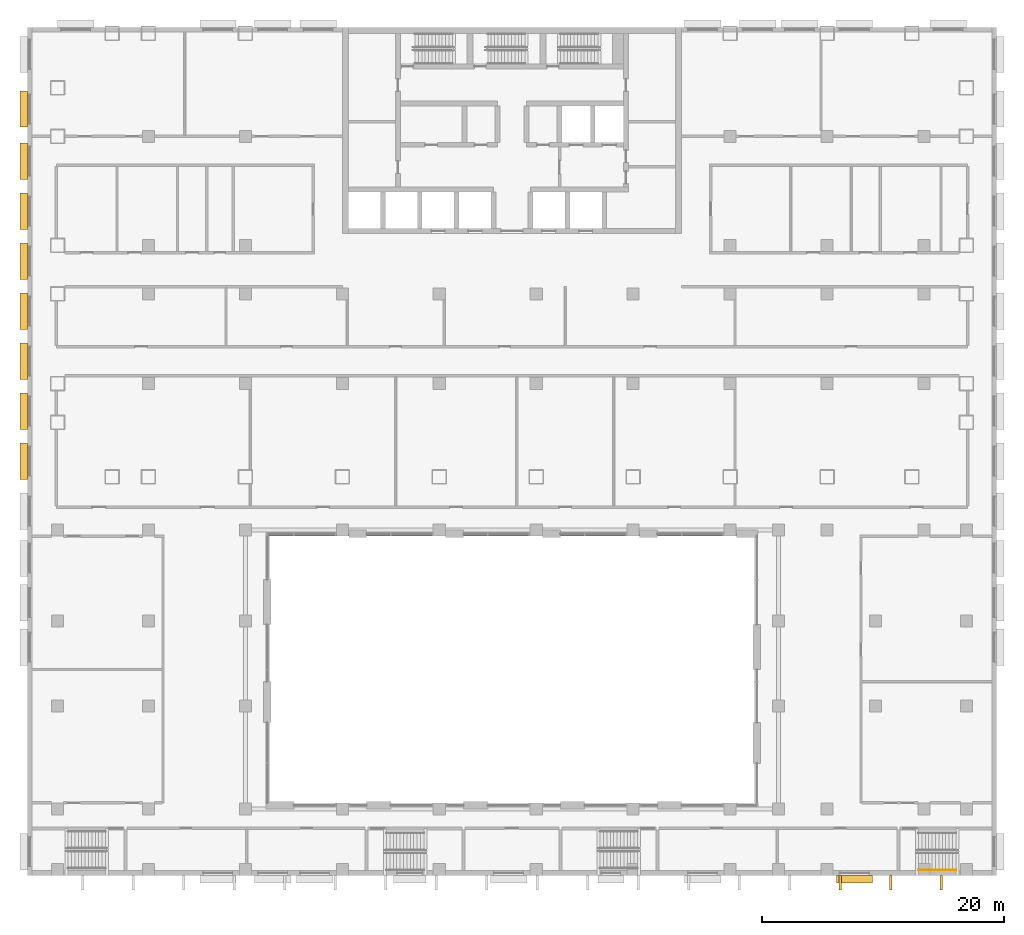
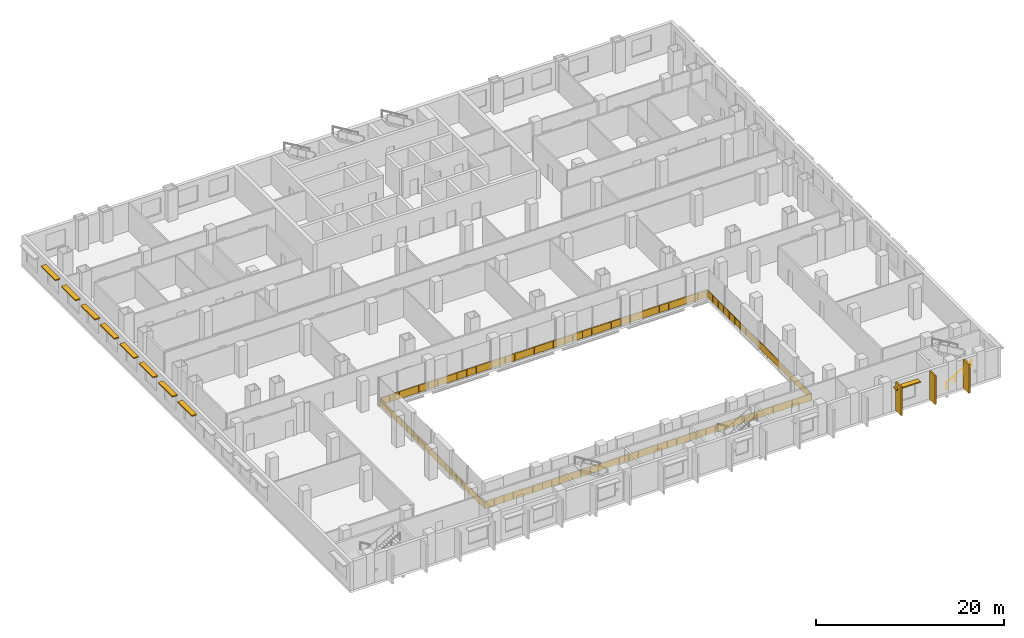
# One storey, part 21 of 25: 12 shading devices, 2 railings.
"""IFC4 building model written with IfcOpenShell, lengths in metres."""

from ifc_helpers import new_model, si_unit, direction, frame, frame_2d, origin, origin_2d, place, context, subcontext, project, spatial, rectangle, circle, extrude, material, layer, layer_set, type_object, element, save


model = new_model("IFC4")

# Units and contexts
model_context = context("Model", 3, precision=1e-05, world=origin(), true_north=direction((0.0, 1.0)))
body_context = subcontext(model_context, "Body", "Model", "MODEL_VIEW")
ifc_project = project(units=[si_unit("LENGTHUNIT", "METRE"), si_unit("AREAUNIT", "SQUARE_METRE"), si_unit("VOLUMEUNIT", "CUBIC_METRE"), si_unit("PLANEANGLEUNIT", "RADIAN"), si_unit("MASSUNIT", "GRAM", prefix="KILO")], contexts=[model_context])

# Site, building, storey
site_placement = place(None, origin())
site = spatial("IfcSite", under=ifc_project, at=site_placement, CompositionType="ELEMENT")
building_placement = place(site_placement, origin())
building = spatial("IfcBuilding", under=site, at=building_placement, Name="Vidyagriha Tower", CompositionType="ELEMENT")
storey_placement = place(building_placement, frame((0.0, 0.0, 10.0)))
storey = spatial("IfcBuildingStorey", under=building, at=storey_placement, Name="L02", CompositionType="ELEMENT", Elevation=10.0)

# Railing
ifc_material_1 = material(Name="Powder coated ASTM A500 Grade C steel balustrade", Category="steel")
railing_type_1 = type_object("IfcRailingType", Name="Atrium Gallery Guard 1100", PredefinedType="GUARDRAIL", material=ifc_material_1)
railing_1_placement = place(storey_placement, frame((-20.10009765625, -44.0, 0.0)))
element("IfcRailing", 1, at=railing_1_placement, inside=storey, type_object=railing_type_1, Name="L02 atrium gallery guard", PredefinedType="GUARDRAIL", context=body_context, shape_type="SweptSolid", body=[
    extrude(circle(Radius=0.02392578125, at=origin_2d()), frame((0.0, 0.0, 1.076171875), z_axis=(0.0, -1.0, 0.0), x_axis=(1.0, 0.0, 0.0)), (0.0, 0.0, 1.0), 0.10009765625),
    extrude(circle(Radius=0.02392578125, at=origin_2d()), frame((0.0, -0.10009765625, 1.076171875), z_axis=(1.0, 0.0, 0.0), x_axis=(0.0, 1.0, 0.0)), (0.0, 0.0, 1.0), 40.2001953125),
    extrude(circle(Radius=0.02392578125, at=origin_2d()), frame((40.2001953125, -0.10009765625, 1.076171875), z_axis=(0.0, 1.0, 0.0), x_axis=(-1.0, 0.0, 0.0)), (0.0, 0.0, 1.0), 22.2001953125),
    extrude(circle(Radius=0.02392578125, at=origin_2d()), frame((40.2001953125, 22.10009765625, 1.076171875), z_axis=(-1.0, 0.0, 0.0), x_axis=(0.0, -1.0, 0.0)), (0.0, 0.0, 1.0), 40.2001953125),
    extrude(circle(Radius=0.02392578125, at=origin_2d()), frame((0.0, 22.10009765625, 1.076171875), z_axis=(0.0, -1.0, 0.0), x_axis=(1.0, 0.0, 0.0)), (0.0, 0.0, 1.0), 22.0),
    extrude(circle(Radius=0.02099609375, at=origin_2d()), origin(), (0.0, 0.0, 1.0), 1.052001953125),
    extrude(circle(Radius=0.02099609375, at=origin_2d()), frame((0.0, -0.10009765625, 0.0)), (0.0, 0.0, 1.0), 1.052001953125),
    extrude(circle(Radius=0.02099609375, at=origin_2d()), frame((1.182373046875, -0.10009765625, 0.0)), (0.0, 0.0, 1.0), 1.052001953125),
    extrude(circle(Radius=0.02099609375, at=origin_2d()), frame((2.36474609375, -0.10009765625, 0.0)), (0.0, 0.0, 1.0), 1.052001953125),
    extrude(circle(Radius=0.02099609375, at=origin_2d()), frame((3.547119140625, -0.10009765625, 0.0)), (0.0, 0.0, 1.0), 1.052001953125),
    extrude(circle(Radius=0.02099609375, at=origin_2d()), frame((4.7294921875, -0.10009765625, 0.0)), (0.0, 0.0, 1.0), 1.052001953125),
    extrude(circle(Radius=0.02099609375, at=origin_2d()), frame((5.911865234375, -0.10009765625, 0.0)), (0.0, 0.0, 1.0), 1.052001953125),
    extrude(circle(Radius=0.02099609375, at=origin_2d()), frame((7.09423828125, -0.10009765625, 0.0)), (0.0, 0.0, 1.0), 1.052001953125),
    extrude(circle(Radius=0.02099609375, at=origin_2d()), frame((8.276611328125, -0.10009765625, 0.0)), (0.0, 0.0, 1.0), 1.052001953125),
    extrude(circle(Radius=0.02099609375, at=origin_2d()), frame((9.458984375, -0.10009765625, 0.0)), (0.0, 0.0, 1.0), 1.052001953125),
    extrude(circle(Radius=0.02099609375, at=origin_2d()), frame((10.64111328125, -0.10009765625, 0.0)), (0.0, 0.0, 1.0), 1.052001953125),
    extrude(circle(Radius=0.02099609375, at=origin_2d()), frame((11.823486328125, -0.10009765625, 0.0)), (0.0, 0.0, 1.0), 1.052001953125),
    extrude(circle(Radius=0.02099609375, at=origin_2d()), frame((13.005859375, -0.10009765625, 0.0)), (0.0, 0.0, 1.0), 1.052001953125),
    extrude(circle(Radius=0.02099609375, at=origin_2d()), frame((14.188232421875, -0.10009765625, 0.0)), (0.0, 0.0, 1.0), 1.052001953125),
    extrude(circle(Radius=0.02099609375, at=origin_2d()), frame((15.37060546875, -0.10009765625, 0.0)), (0.0, 0.0, 1.0), 1.052001953125),
    extrude(circle(Radius=0.02099609375, at=origin_2d()), frame((16.552978515625, -0.10009765625, 0.0)), (0.0, 0.0, 1.0), 1.052001953125),
    extrude(circle(Radius=0.02099609375, at=origin_2d()), frame((17.7353515625, -0.10009765625, 0.0)), (0.0, 0.0, 1.0), 1.052001953125),
    extrude(circle(Radius=0.02099609375, at=origin_2d()), frame((18.917724609375, -0.10009765625, 0.0)), (0.0, 0.0, 1.0), 1.052001953125),
    extrude(circle(Radius=0.02099609375, at=origin_2d()), frame((20.10009765625, -0.10009765625, 0.0)), (0.0, 0.0, 1.0), 1.052001953125),
    extrude(circle(Radius=0.02099609375, at=origin_2d()), frame((21.282470703125, -0.10009765625, 0.0)), (0.0, 0.0, 1.0), 1.052001953125),
    extrude(circle(Radius=0.02099609375, at=origin_2d()), frame((22.46484375, -0.10009765625, 0.0)), (0.0, 0.0, 1.0), 1.052001953125),
    extrude(circle(Radius=0.02099609375, at=origin_2d()), frame((23.647216796875, -0.10009765625, 0.0)), (0.0, 0.0, 1.0), 1.052001953125),
    extrude(circle(Radius=0.02099609375, at=origin_2d()), frame((24.82958984375, -0.10009765625, 0.0)), (0.0, 0.0, 1.0), 1.052001953125),
    extrude(circle(Radius=0.02099609375, at=origin_2d()), frame((26.011962890625, -0.10009765625, 0.0)), (0.0, 0.0, 1.0), 1.052001953125),
    extrude(circle(Radius=0.02099609375, at=origin_2d()), frame((27.1943359375, -0.10009765625, 0.0)), (0.0, 0.0, 1.0), 1.052001953125),
    extrude(circle(Radius=0.02099609375, at=origin_2d()), frame((28.376708984375, -0.10009765625, 0.0)), (0.0, 0.0, 1.0), 1.052001953125),
    extrude(circle(Radius=0.02099609375, at=origin_2d()), frame((29.55908203125, -0.10009765625, 0.0)), (0.0, 0.0, 1.0), 1.052001953125),
    extrude(circle(Radius=0.02099609375, at=origin_2d()), frame((30.7412109375, -0.10009765625, 0.0)), (0.0, 0.0, 1.0), 1.052001953125),
    extrude(circle(Radius=0.02099609375, at=origin_2d()), frame((31.923583984375, -0.10009765625, 0.0)), (0.0, 0.0, 1.0), 1.052001953125),
    extrude(circle(Radius=0.02099609375, at=origin_2d()), frame((33.10595703125, -0.10009765625, 0.0)), (0.0, 0.0, 1.0), 1.052001953125),
    extrude(circle(Radius=0.02099609375, at=origin_2d()), frame((34.288330078125, -0.10009765625, 0.0)), (0.0, 0.0, 1.0), 1.052001953125),
    extrude(circle(Radius=0.02099609375, at=origin_2d()), frame((35.470703125, -0.10009765625, 0.0)), (0.0, 0.0, 1.0), 1.052001953125),
    extrude(circle(Radius=0.02099609375, at=origin_2d()), frame((36.653076171875, -0.10009765625, 0.0)), (0.0, 0.0, 1.0), 1.052001953125),
    extrude(circle(Radius=0.02099609375, at=origin_2d()), frame((37.83544921875, -0.10009765625, 0.0)), (0.0, 0.0, 1.0), 1.052001953125),
    extrude(circle(Radius=0.02099609375, at=origin_2d()), frame((39.017822265625, -0.10009765625, 0.0)), (0.0, 0.0, 1.0), 1.052001953125),
    extrude(circle(Radius=0.02099609375, at=origin_2d()), frame((40.2001953125, -0.10009765625, 0.0)), (0.0, 0.0, 1.0), 1.052001953125),
    extrude(circle(Radius=0.02099609375, at=origin_2d()), frame((40.2001953125, 1.068359375, 0.0)), (0.0, 0.0, 1.0), 1.052001953125),
    extrude(circle(Radius=0.02099609375, at=origin_2d()), frame((40.2001953125, 2.23681640625, 0.0)), (0.0, 0.0, 1.0), 1.052001953125),
    extrude(circle(Radius=0.02099609375, at=origin_2d()), frame((40.2001953125, 3.4052734375, 0.0)), (0.0, 0.0, 1.0), 1.052001953125),
    extrude(circle(Radius=0.02099609375, at=origin_2d()), frame((40.2001953125, 4.57373046875, 0.0)), (0.0, 0.0, 1.0), 1.052001953125),
    extrude(circle(Radius=0.02099609375, at=origin_2d()), frame((40.2001953125, 5.741943359375, 0.0)), (0.0, 0.0, 1.0), 1.052001953125),
    extrude(circle(Radius=0.02099609375, at=origin_2d()), frame((40.2001953125, 6.910400390625, 0.0)), (0.0, 0.0, 1.0), 1.052001953125),
    extrude(circle(Radius=0.02099609375, at=origin_2d()), frame((40.2001953125, 8.078857421875, 0.0)), (0.0, 0.0, 1.0), 1.052001953125),
    extrude(circle(Radius=0.02099609375, at=origin_2d()), frame((40.2001953125, 9.247314453125, 0.0)), (0.0, 0.0, 1.0), 1.052001953125),
    extrude(circle(Radius=0.02099609375, at=origin_2d()), frame((40.2001953125, 10.415771484375, 0.0)), (0.0, 0.0, 1.0), 1.052001953125),
    extrude(circle(Radius=0.02099609375, at=origin_2d()), frame((40.2001953125, 11.584228515625, 0.0)), (0.0, 0.0, 1.0), 1.052001953125),
    extrude(circle(Radius=0.02099609375, at=origin_2d()), frame((40.2001953125, 12.752685546875, 0.0)), (0.0, 0.0, 1.0), 1.052001953125),
    extrude(circle(Radius=0.02099609375, at=origin_2d()), frame((40.2001953125, 13.921142578125, 0.0)), (0.0, 0.0, 1.0), 1.052001953125),
    extrude(circle(Radius=0.02099609375, at=origin_2d()), frame((40.2001953125, 15.089599609375, 0.0)), (0.0, 0.0, 1.0), 1.052001953125),
    extrude(circle(Radius=0.02099609375, at=origin_2d()), frame((40.2001953125, 16.258056640625, 0.0)), (0.0, 0.0, 1.0), 1.052001953125),
    extrude(circle(Radius=0.02099609375, at=origin_2d()), frame((40.2001953125, 17.42626953125, 0.0)), (0.0, 0.0, 1.0), 1.052001953125),
    extrude(circle(Radius=0.02099609375, at=origin_2d()), frame((40.2001953125, 18.5947265625, 0.0)), (0.0, 0.0, 1.0), 1.052001953125),
    extrude(circle(Radius=0.02099609375, at=origin_2d()), frame((40.2001953125, 19.76318359375, 0.0)), (0.0, 0.0, 1.0), 1.052001953125),
    extrude(circle(Radius=0.02099609375, at=origin_2d()), frame((40.2001953125, 20.931640625, 0.0)), (0.0, 0.0, 1.0), 1.052001953125),
    extrude(circle(Radius=0.02099609375, at=origin_2d()), frame((40.2001953125, 22.10009765625, 0.0)), (0.0, 0.0, 1.0), 1.052001953125),
    extrude(circle(Radius=0.02099609375, at=origin_2d()), frame((39.017822265625, 22.10009765625, 0.0)), (0.0, 0.0, 1.0), 1.052001953125),
    extrude(circle(Radius=0.02099609375, at=origin_2d()), frame((37.83544921875, 22.10009765625, 0.0)), (0.0, 0.0, 1.0), 1.052001953125),
    extrude(circle(Radius=0.02099609375, at=origin_2d()), frame((36.653076171875, 22.10009765625, 0.0)), (0.0, 0.0, 1.0), 1.052001953125),
    extrude(circle(Radius=0.02099609375, at=origin_2d()), frame((35.470703125, 22.10009765625, 0.0)), (0.0, 0.0, 1.0), 1.052001953125),
    extrude(circle(Radius=0.02099609375, at=origin_2d()), frame((34.288330078125, 22.10009765625, 0.0)), (0.0, 0.0, 1.0), 1.052001953125),
    extrude(circle(Radius=0.02099609375, at=origin_2d()), frame((33.10595703125, 22.10009765625, 0.0)), (0.0, 0.0, 1.0), 1.052001953125),
    extrude(circle(Radius=0.02099609375, at=origin_2d()), frame((31.923583984375, 22.10009765625, 0.0)), (0.0, 0.0, 1.0), 1.052001953125),
    extrude(circle(Radius=0.02099609375, at=origin_2d()), frame((30.7412109375, 22.10009765625, 0.0)), (0.0, 0.0, 1.0), 1.052001953125),
    extrude(circle(Radius=0.02099609375, at=origin_2d()), frame((29.55908203125, 22.10009765625, 0.0)), (0.0, 0.0, 1.0), 1.052001953125),
    extrude(circle(Radius=0.02099609375, at=origin_2d()), frame((28.376708984375, 22.10009765625, 0.0)), (0.0, 0.0, 1.0), 1.052001953125),
    extrude(circle(Radius=0.02099609375, at=origin_2d()), frame((27.1943359375, 22.10009765625, 0.0)), (0.0, 0.0, 1.0), 1.052001953125),
    extrude(circle(Radius=0.02099609375, at=origin_2d()), frame((26.011962890625, 22.10009765625, 0.0)), (0.0, 0.0, 1.0), 1.052001953125),
    extrude(circle(Radius=0.02099609375, at=origin_2d()), frame((24.82958984375, 22.10009765625, 0.0)), (0.0, 0.0, 1.0), 1.052001953125),
    extrude(circle(Radius=0.02099609375, at=origin_2d()), frame((23.647216796875, 22.10009765625, 0.0)), (0.0, 0.0, 1.0), 1.052001953125),
    extrude(circle(Radius=0.02099609375, at=origin_2d()), frame((22.46484375, 22.10009765625, 0.0)), (0.0, 0.0, 1.0), 1.052001953125),
    extrude(circle(Radius=0.02099609375, at=origin_2d()), frame((21.282470703125, 22.10009765625, 0.0)), (0.0, 0.0, 1.0), 1.052001953125),
    extrude(circle(Radius=0.02099609375, at=origin_2d()), frame((20.10009765625, 22.10009765625, 0.0)), (0.0, 0.0, 1.0), 1.052001953125),
    extrude(circle(Radius=0.02099609375, at=origin_2d()), frame((18.917724609375, 22.10009765625, 0.0)), (0.0, 0.0, 1.0), 1.052001953125),
    extrude(circle(Radius=0.02099609375, at=origin_2d()), frame((17.7353515625, 22.10009765625, 0.0)), (0.0, 0.0, 1.0), 1.052001953125),
    extrude(circle(Radius=0.02099609375, at=origin_2d()), frame((16.552978515625, 22.10009765625, 0.0)), (0.0, 0.0, 1.0), 1.052001953125),
    extrude(circle(Radius=0.02099609375, at=origin_2d()), frame((15.37060546875, 22.10009765625, 0.0)), (0.0, 0.0, 1.0), 1.052001953125),
    extrude(circle(Radius=0.02099609375, at=origin_2d()), frame((14.188232421875, 22.10009765625, 0.0)), (0.0, 0.0, 1.0), 1.052001953125),
    extrude(circle(Radius=0.02099609375, at=origin_2d()), frame((13.005859375, 22.10009765625, 0.0)), (0.0, 0.0, 1.0), 1.052001953125),
    extrude(circle(Radius=0.02099609375, at=origin_2d()), frame((11.823486328125, 22.10009765625, 0.0)), (0.0, 0.0, 1.0), 1.052001953125),
    extrude(circle(Radius=0.02099609375, at=origin_2d()), frame((10.64111328125, 22.10009765625, 0.0)), (0.0, 0.0, 1.0), 1.052001953125),
    extrude(circle(Radius=0.02099609375, at=origin_2d()), frame((9.458984375, 22.10009765625, 0.0)), (0.0, 0.0, 1.0), 1.052001953125),
    extrude(circle(Radius=0.02099609375, at=origin_2d()), frame((8.276611328125, 22.10009765625, 0.0)), (0.0, 0.0, 1.0), 1.052001953125),
    extrude(circle(Radius=0.02099609375, at=origin_2d()), frame((7.09423828125, 22.10009765625, 0.0)), (0.0, 0.0, 1.0), 1.052001953125),
    extrude(circle(Radius=0.02099609375, at=origin_2d()), frame((5.911865234375, 22.10009765625, 0.0)), (0.0, 0.0, 1.0), 1.052001953125),
    extrude(circle(Radius=0.02099609375, at=origin_2d()), frame((4.7294921875, 22.10009765625, 0.0)), (0.0, 0.0, 1.0), 1.052001953125),
    extrude(circle(Radius=0.02099609375, at=origin_2d()), frame((3.547119140625, 22.10009765625, 0.0)), (0.0, 0.0, 1.0), 1.052001953125),
    extrude(circle(Radius=0.02099609375, at=origin_2d()), frame((2.36474609375, 22.10009765625, 0.0)), (0.0, 0.0, 1.0), 1.052001953125),
    extrude(circle(Radius=0.02099609375, at=origin_2d()), frame((1.182373046875, 22.10009765625, 0.0)), (0.0, 0.0, 1.0), 1.052001953125),
    extrude(circle(Radius=0.02099609375, at=origin_2d()), frame((0.0, 22.10009765625, 0.0)), (0.0, 0.0, 1.0), 1.052001953125),
    extrude(circle(Radius=0.02099609375, at=origin_2d()), frame((0.0, 20.942138671875, 0.0)), (0.0, 0.0, 1.0), 1.052001953125),
    extrude(circle(Radius=0.02099609375, at=origin_2d()), frame((0.0, 19.784423828125, 0.0)), (0.0, 0.0, 1.0), 1.052001953125),
    extrude(circle(Radius=0.02099609375, at=origin_2d()), frame((0.0, 18.62646484375, 0.0)), (0.0, 0.0, 1.0), 1.052001953125),
    extrude(circle(Radius=0.02099609375, at=origin_2d()), frame((0.0, 17.468505859375, 0.0)), (0.0, 0.0, 1.0), 1.052001953125),
    extrude(circle(Radius=0.02099609375, at=origin_2d()), frame((0.0, 16.310546875, 0.0)), (0.0, 0.0, 1.0), 1.052001953125),
    extrude(circle(Radius=0.02099609375, at=origin_2d()), frame((0.0, 15.15283203125, 0.0)), (0.0, 0.0, 1.0), 1.052001953125),
    extrude(circle(Radius=0.02099609375, at=origin_2d()), frame((0.0, 13.994873046875, 0.0)), (0.0, 0.0, 1.0), 1.052001953125),
    extrude(circle(Radius=0.02099609375, at=origin_2d()), frame((0.0, 12.8369140625, 0.0)), (0.0, 0.0, 1.0), 1.052001953125),
    extrude(circle(Radius=0.02099609375, at=origin_2d()), frame((0.0, 11.678955078125, 0.0)), (0.0, 0.0, 1.0), 1.052001953125),
    extrude(circle(Radius=0.02099609375, at=origin_2d()), frame((0.0, 10.521240234375, 0.0)), (0.0, 0.0, 1.0), 1.052001953125),
    extrude(circle(Radius=0.02099609375, at=origin_2d()), frame((0.0, 9.36328125, 0.0)), (0.0, 0.0, 1.0), 1.052001953125),
    extrude(circle(Radius=0.02099609375, at=origin_2d()), frame((0.0, 8.205322265625, 0.0)), (0.0, 0.0, 1.0), 1.052001953125),
    extrude(circle(Radius=0.02099609375, at=origin_2d()), frame((0.0, 7.04736328125, 0.0)), (0.0, 0.0, 1.0), 1.052001953125),
    extrude(circle(Radius=0.02099609375, at=origin_2d()), frame((0.0, 5.8896484375, 0.0)), (0.0, 0.0, 1.0), 1.052001953125),
    extrude(circle(Radius=0.02099609375, at=origin_2d()), frame((0.0, 4.731689453125, 0.0)), (0.0, 0.0, 1.0), 1.052001953125),
    extrude(circle(Radius=0.02099609375, at=origin_2d()), frame((0.0, 3.57373046875, 0.0)), (0.0, 0.0, 1.0), 1.052001953125),
    extrude(circle(Radius=0.02099609375, at=origin_2d()), frame((0.0, 2.415771484375, 0.0)), (0.0, 0.0, 1.0), 1.052001953125),
    extrude(circle(Radius=0.02099609375, at=origin_2d()), frame((0.0, 1.258056640625, 0.0)), (0.0, 0.0, 1.0), 1.052001953125),
    extrude(circle(Radius=0.02099609375, at=origin_2d()), frame((0.0, 0.10009765625, 0.0)), (0.0, 0.0, 1.0), 1.052001953125),
    extrude(rectangle(XDim=0.010009765625, YDim=0.902099609375, at=origin_2d()), frame((0.0, 0.0, 0.551025390625), z_axis=(0.0, -1.0, 0.0), x_axis=(1.0, 0.0, 0.0)), (0.0, 0.0, 1.0), 0.10009765625),
    extrude(rectangle(XDim=0.010009765625, YDim=0.902099609375, at=origin_2d()), frame((0.0, -0.10009765625, 0.551025390625), z_axis=(1.0, 0.0, 0.0), x_axis=(0.0, 1.0, 0.0)), (0.0, 0.0, 1.0), 40.2001953125),
    extrude(rectangle(XDim=0.010009765625, YDim=0.902099609375, at=origin_2d()), frame((40.2001953125, -0.10009765625, 0.551025390625), z_axis=(0.0, 1.0, 0.0), x_axis=(-1.0, 0.0, 0.0)), (0.0, 0.0, 1.0), 22.2001953125),
    extrude(rectangle(XDim=0.010009765625, YDim=0.902099609375, at=origin_2d()), frame((40.2001953125, 22.10009765625, 0.551025390625), z_axis=(-1.0, 0.0, 0.0), x_axis=(0.0, -1.0, 0.0)), (0.0, 0.0, 1.0), 40.2001953125),
    extrude(rectangle(XDim=0.010009765625, YDim=0.902099609375, at=origin_2d()), frame((0.0, 22.10009765625, 0.551025390625), z_axis=(0.0, -1.0, 0.0), x_axis=(1.0, 0.0, 0.0)), (0.0, 0.0, 1.0), 22.0),
])

# Shading devices
ifc_material_2 = material(Name="Precast concrete C40/50 with brick facing", Category="concrete")
ifc_layer_1 = layer(ifc_material_2, 0.14990234375)
ifc_layer_set_1 = layer_set([ifc_layer_1], Name="Precast concrete C40/50 with brick facing")
shading_device_type_1 = type_object("IfcShadingDeviceType", Name="Brick chhajja window hood", PredefinedType="AWNING", material=ifc_layer_set_1)
for number, where, z_axis, x_axis, name in (
    (2, (-40.300048828125, 13.25, 3.0), (0.0, 0.0, 1.0), (0.0, -1.0, 0.0), "Window hood L02 R05.2"),
    (3, (-40.300048828125, 8.9375, 3.0), (0.0, 0.0, 1.0), (0.0, -1.0, 0.0), "Window hood L02 R05.3"),
    (4, (-40.300048828125, 4.8125, 3.0), (0.0, 0.0, 1.0), (0.0, -1.0, 0.0), "Window hood L02 R05.4"),
    (5, (-40.300048828125, 0.6875, 3.0), (0.0, 0.0, 1.0), (0.0, -1.0, 0.0), "Window hood L02 R05.5"),
    (6, (-40.300048828125, -3.4375, 3.0), (0.0, 0.0, 1.0), (0.0, -1.0, 0.0), "Window hood L02 R05.6"),
    (7, (-40.300048828125, -7.5625, 3.0), (0.0, 0.0, 1.0), (0.0, -1.0, 0.0), "Window hood L02 R05.7"),
    (8, (-40.300048828125, -11.6875, 3.0), (0.0, 0.0, 1.0), (0.0, -1.0, 0.0), "Window hood L02 R05.8"),
    (9, (-40.300048828125, -15.8125, 3.0), (0.0, 0.0, 1.0), (0.0, -1.0, 0.0), "Window hood L02 R05.9"),
):
    element("IfcShadingDevice", number, at=place(storey_placement, frame(where, z_axis=z_axis, x_axis=x_axis)), inside=storey, type_object=shading_device_type_1, Name=name, PredefinedType="AWNING", context=body_context, shape_type="SweptSolid", body=[
        extrude(rectangle(XDim=3.0, YDim=0.60009765625, at=origin_2d()), origin(), (0.0, 0.0, 1.0), 0.14990234375),
    ])
shading_device_placement = place(storey_placement, frame((28.264892578125, -50.300048828125, 3.0)))
element("IfcShadingDevice", 10, at=shading_device_placement, inside=storey, type_object=shading_device_type_1, Name="Window hood L02 R06.34", PredefinedType="AWNING", context=body_context, shape_type="SweptSolid", body=[
    extrude(rectangle(XDim=3.0, YDim=0.60009765625, at=origin_2d()), origin(), (0.0, 0.0, 1.0), 0.14990234375),
])
ifc_material_3 = material(Name="Precast concrete C40/50 with brick facing", Category="concrete")
ifc_layer_2 = layer(ifc_material_3, 0.199951171875)
ifc_layer_set_2 = layer_set([ifc_layer_2], Name="Precast concrete C40/50 with brick facing")
shading_device_type_2 = type_object("IfcShadingDeviceType", Name="Brick-faced solar fin 1200", PredefinedType="USERDEFINED", material=ifc_layer_set_2)
for number, where, z_axis, x_axis, name in (
    (11, (27.0947265625, -50.0, 0.0), (0.0, 0.0, 1.0), (0.0, -1.0, 0.0), "Solar fin L02 R06.16"),
    (12, (31.26318359375, -50.0, 0.0), (0.0, 0.0, 1.0), (0.0, -1.0, 0.0), "Solar fin L02 R06.17"),
    (13, (35.431640625, -50.0, 0.0), (0.0, 0.0, 1.0), (0.0, -1.0, 0.0), "Solar fin L02 R06.18"),
):
    element("IfcShadingDevice", number, at=place(storey_placement, frame(where, z_axis=z_axis, x_axis=x_axis)), inside=storey, type_object=shading_device_type_2, Name=name, ObjectType="SOLAR FIN", PredefinedType="USERDEFINED", context=body_context, shape_type="SweptSolid", body=[
        extrude(rectangle(XDim=1.199951171875, YDim=0.199951171875, at=frame_2d((0.60009765625, 0.0))), origin(), (0.0, 0.0, 1.0), 3.699951171875),
    ])

# Railing
ifc_material_4 = material(Name="Powder coated ASTM A500 Grade C steel handrail", Category="steel")
railing_type_2 = type_object("IfcRailingType", Name="Podium Stair Handrail 900", PredefinedType="HANDRAIL", material=ifc_material_4)
railing_2_placement = place(storey_placement, frame((33.544921875, -49.550048828125, 0.166748046875)))
element("IfcRailing", 14, at=railing_2_placement, inside=storey, type_object=railing_type_2, Name="L02 PS2 stair handrail 1", PredefinedType="HANDRAIL", context=body_context, shape_type="SweptSolid", body=[
    extrude(circle(Radius=0.02392578125, at=origin_2d()), frame((0.0, 0.0, 0.8759765625), z_axis=(0.859308565015, 0.0, 0.511457515432), x_axis=(0.0, 1.0, 0.0)), (0.0, 0.0, 1.0), 3.58447265625),
    extrude(circle(Radius=0.02099609375, at=origin_2d()), origin(), (0.0, 0.0, 1.0), 0.851806640625),
    extrude(circle(Radius=0.02099609375, at=origin_2d()), frame((1.026611328125, 0.0, 0.611083984375)), (0.0, 0.0, 1.0), 0.851806640625),
    extrude(circle(Radius=0.02099609375, at=origin_2d()), frame((2.053466796875, 0.0, 1.22216796875)), (0.0, 0.0, 1.0), 0.851806640625),
    extrude(circle(Radius=0.02099609375, at=origin_2d()), frame((3.080078125, 0.0, 1.833251953125)), (0.0, 0.0, 1.0), 0.851806640625),
])

save(model, "model.ifc")
